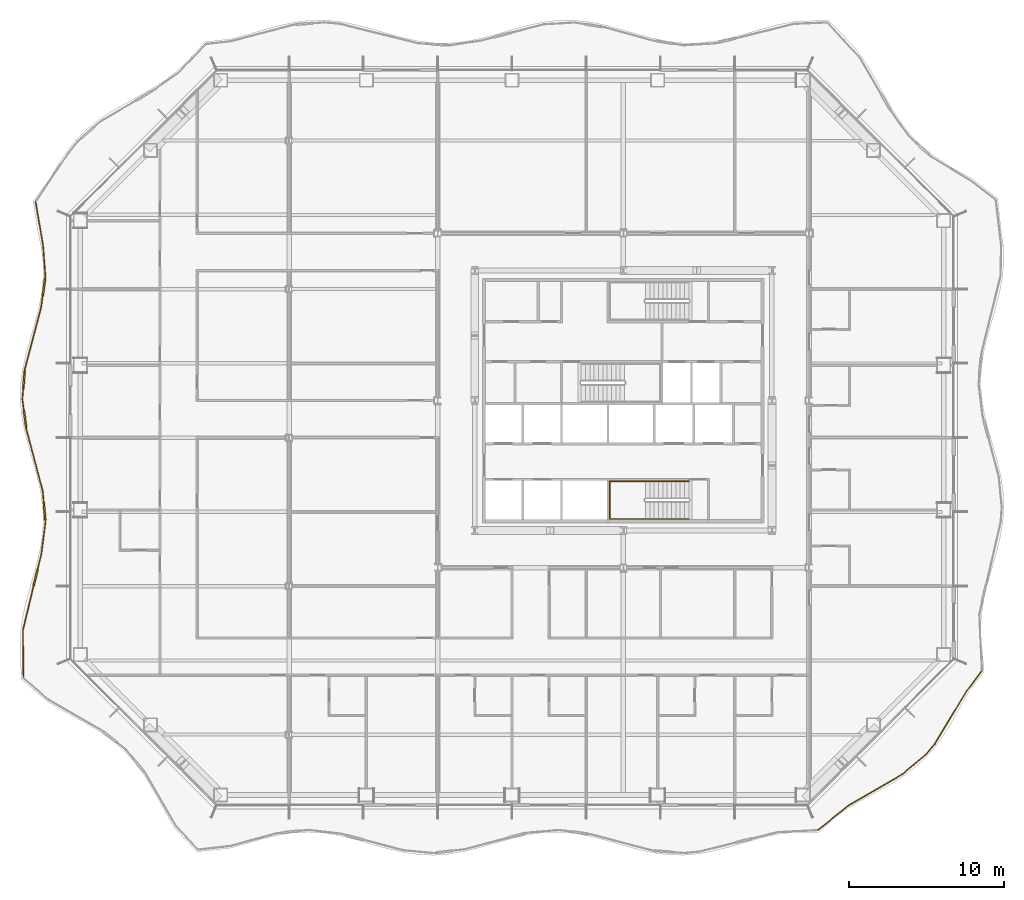
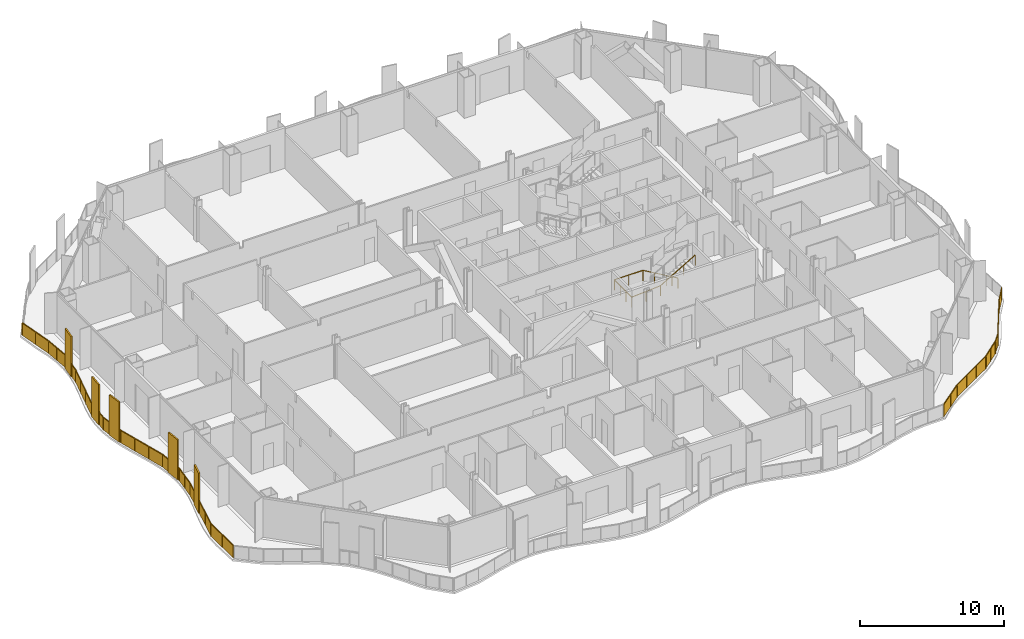
# One storey, part 16 of 20: 3 railings.
"""IFC4 building model written with IfcOpenShell, lengths in metres."""

from ifc_helpers import new_model, si_unit, direction, frame, origin, origin_2d, place, context, subcontext, project, spatial, polyline, rectangle, outline, extrude, material, type_object, element, save


model = new_model("IFC4")

# Units and contexts
model_context = context("Model", 3, precision=1e-05, world=origin(), true_north=direction((0.0, 1.0)))
body_context = subcontext(model_context, "Body", "Model", "MODEL_VIEW")
ifc_project = project(units=[si_unit("LENGTHUNIT", "METRE"), si_unit("AREAUNIT", "SQUARE_METRE"), si_unit("VOLUMEUNIT", "CUBIC_METRE"), si_unit("PLANEANGLEUNIT", "RADIAN"), si_unit("MASSUNIT", "GRAM", prefix="KILO")], contexts=[model_context])

# Site, building, storey
site_placement = place(None, origin())
site = spatial("IfcSite", under=ifc_project, at=site_placement, CompositionType="ELEMENT")
building_placement = place(site_placement, origin())
building = spatial("IfcBuilding", under=site, at=building_placement, Name="Cairn Pilgrim Tower", CompositionType="ELEMENT")
storey_placement = place(building_placement, frame((0.0, 0.0, 83.39990234375)))
storey = spatial("IfcBuildingStorey", under=building, at=storey_placement, Name="L19", CompositionType="ELEMENT", Elevation=83.39990234375)

# Railings
ifc_material_1 = material(Name="Bronze anodised aluminium rail and posts with laminated glass infill", Category="aluminium")
railing_type_1 = type_object("IfcRailingType", Name="BALCONY GUARD 1100", PredefinedType="GUARDRAIL", material=ifc_material_1)
railing_1_placement = place(storey_placement, frame((19.76904296875, -25.362060546875, 0.0)))
element("IfcRailing", 1, at=railing_1_placement, inside=storey, type_object=railing_type_1, Name="Balcony guard BG-2", PredefinedType="GUARDRAIL", context=body_context, shape_type="SweptSolid", body=[
    extrude(rectangle(XDim=0.050048828125, YDim=0.050048828125, at=origin_2d()), frame((0.0, 0.0, 1.0751953125), z_axis=(0.781037341637, 0.624484324037, 0.0), x_axis=(-0.624484324037, 0.781037341637, 0.0)), (0.0, 0.0, 1.0), 2.54345703125),
    extrude(rectangle(XDim=0.050048828125, YDim=0.050048828125, at=origin_2d()), frame((1.986572265625, 1.58837890625, 1.0751953125), z_axis=(0.864746318475, 0.502208925333, 0.0), x_axis=(-0.502208925333, 0.864746318475, 0.0)), (0.0, 0.0, 1.0), 4.011474609375),
    extrude(rectangle(XDim=0.050048828125, YDim=0.050048828125, at=origin_2d()), frame((5.45556640625, 3.60302734375, 1.0751953125), z_axis=(0.767752608342, 0.640746386946, 0.0), x_axis=(-0.640746386946, 0.767752608342, 0.0)), (0.0, 0.0, 1.0), 1.92236328125),
    extrude(rectangle(XDim=0.050048828125, YDim=0.050048828125, at=origin_2d()), frame((6.931396484375, 4.834716796875, 1.0751953125), z_axis=(0.653546062268, 0.756886744827, 0.0), x_axis=(-0.756886744827, 0.653546062268, 0.0)), (0.0, 0.0, 1.0), 0.947265625),
    extrude(rectangle(XDim=0.050048828125, YDim=0.050048828125, at=origin_2d()), frame((7.550537109375, 5.5517578125, 1.0751953125), z_axis=(0.515188020527, 0.857077186434, 0.0), x_axis=(-0.857077186434, 0.515188020527, 0.0)), (0.0, 0.0, 1.0), 3.992431640625),
    extrude(rectangle(XDim=0.050048828125, YDim=0.050048828125, at=origin_2d()), frame((9.607421875, 8.9736328125, 1.0751953125), z_axis=(0.601933741953, 0.798546035178, 0.0), x_axis=(-0.798546035178, 0.601933741953, 0.0)), (0.0, 0.0, 1.0), 1.594482421875),
    extrude(rectangle(XDim=0.050048828125, YDim=0.050048828125, at=origin_2d()), origin(), (0.0, 0.0, 1.0), 1.050048828125),
    extrude(rectangle(XDim=0.050048828125, YDim=0.050048828125, at=origin_2d()), frame((0.9931640625, 0.794189453125, 0.0)), (0.0, 0.0, 1.0), 1.050048828125),
    extrude(rectangle(XDim=0.050048828125, YDim=0.050048828125, at=origin_2d()), frame((1.986572265625, 1.58837890625, 0.0)), (0.0, 0.0, 1.0), 1.050048828125),
    extrude(rectangle(XDim=0.050048828125, YDim=0.050048828125, at=origin_2d()), frame((3.142822265625, 2.260009765625, 0.0)), (0.0, 0.0, 1.0), 1.050048828125),
    extrude(rectangle(XDim=0.050048828125, YDim=0.050048828125, at=origin_2d()), frame((4.29931640625, 2.931396484375, 0.0)), (0.0, 0.0, 1.0), 1.050048828125),
    extrude(rectangle(XDim=0.050048828125, YDim=0.050048828125, at=origin_2d()), frame((5.45556640625, 3.60302734375, 0.0)), (0.0, 0.0, 1.0), 1.050048828125),
    extrude(rectangle(XDim=0.050048828125, YDim=0.050048828125, at=origin_2d()), frame((6.193359375, 4.21875, 0.0)), (0.0, 0.0, 1.0), 1.050048828125),
    extrude(rectangle(XDim=0.050048828125, YDim=0.050048828125, at=origin_2d()), frame((6.931396484375, 4.834716796875, 0.0)), (0.0, 0.0, 1.0), 1.050048828125),
    extrude(rectangle(XDim=0.050048828125, YDim=0.050048828125, at=origin_2d()), frame((7.550537109375, 5.5517578125, 0.0)), (0.0, 0.0, 1.0), 1.050048828125),
    extrude(rectangle(XDim=0.050048828125, YDim=0.050048828125, at=origin_2d()), frame((8.236083984375, 6.6923828125, 0.0)), (0.0, 0.0, 1.0), 1.050048828125),
    extrude(rectangle(XDim=0.050048828125, YDim=0.050048828125, at=origin_2d()), frame((8.921875, 7.8330078125, 0.0)), (0.0, 0.0, 1.0), 1.050048828125),
    extrude(rectangle(XDim=0.050048828125, YDim=0.050048828125, at=origin_2d()), frame((9.607421875, 8.9736328125, 0.0)), (0.0, 0.0, 1.0), 1.050048828125),
    extrude(rectangle(XDim=0.050048828125, YDim=0.050048828125, at=origin_2d()), frame((10.567138671875, 10.246826171875, 0.0)), (0.0, 0.0, 1.0), 1.050048828125),
    extrude(outline(polyline([(0.02490234375, 0.0), (1.246826171875, 0.0), (1.246826171875, 1.050048828125), (0.02490234375, 1.050048828125), (0.02490234375, 0.0)])), frame((-0.003662109375, 0.004638671875, 0.0), z_axis=(0.624484324037, -0.781037341637, 0.0), x_axis=(0.781037341637, 0.624484324037, 0.0)), (0.0, 0.0, 1.0), 0.011962890625),
    extrude(outline(polyline([(0.02490234375, 0.0), (1.246826171875, 0.0), (1.246826171875, 1.050048828125), (0.02490234375, 1.050048828125), (0.02490234375, 0.0)])), frame((0.989501953125, 0.798828125, 0.0), z_axis=(0.624484324037, -0.781037341637, 0.0), x_axis=(0.781037341637, 0.624484324037, 0.0)), (0.0, 0.0, 1.0), 0.011962890625),
    extrude(outline(polyline([(0.02490234375, 0.0), (1.312255859375, 0.0), (1.312255859375, 1.050048828125), (0.02490234375, 1.050048828125), (0.02490234375, 0.0)])), frame((1.983642578125, 1.593505859375, 0.0), z_axis=(0.502208925333, -0.864746318475, 0.0), x_axis=(0.864746318475, 0.502208925333, 0.0)), (0.0, 0.0, 1.0), 0.011962890625),
    extrude(outline(polyline([(0.02490234375, 0.0), (1.312255859375, 0.0), (1.312255859375, 1.050048828125), (0.02490234375, 1.050048828125), (0.02490234375, 0.0)])), frame((3.139892578125, 2.26513671875, 0.0), z_axis=(0.502208925333, -0.864746318475, 0.0), x_axis=(0.864746318475, 0.502208925333, 0.0)), (0.0, 0.0, 1.0), 0.011962890625),
    extrude(outline(polyline([(0.02490234375, 0.0), (1.312255859375, 0.0), (1.312255859375, 1.050048828125), (0.02490234375, 1.050048828125), (0.02490234375, 0.0)])), frame((4.296142578125, 2.936767578125, 0.0), z_axis=(0.502208925333, -0.864746318475, 0.0), x_axis=(0.864746318475, 0.502208925333, 0.0)), (0.0, 0.0, 1.0), 0.011962890625),
    extrude(outline(polyline([(0.02490234375, 0.0), (0.93603515625, 0.0), (0.93603515625, 1.050048828125), (0.02490234375, 1.050048828125), (0.02490234375, 0.0)])), frame((5.45166015625, 3.607666015625, 0.0), z_axis=(0.640746386946, -0.767752608342, 0.0), x_axis=(0.767752608342, 0.640746386946, 0.0)), (0.0, 0.0, 1.0), 0.011962890625),
    extrude(outline(polyline([(0.02490234375, 0.0), (0.93603515625, 0.0), (0.93603515625, 1.050048828125), (0.02490234375, 1.050048828125), (0.02490234375, 0.0)])), frame((6.189697265625, 4.223388671875, 0.0), z_axis=(0.640746386946, -0.767752608342, 0.0), x_axis=(0.767752608342, 0.640746386946, 0.0)), (0.0, 0.0, 1.0), 0.011962890625),
    extrude(outline(polyline([(0.02490234375, 0.0), (0.92236328125, 0.0), (0.92236328125, 1.050048828125), (0.02490234375, 1.050048828125), (0.02490234375, 0.0)])), frame((6.9267578125, 4.838623046875, 0.0), z_axis=(0.756886744827, -0.653546062268, 0.0), x_axis=(0.653546062268, 0.756886744827, 0.0)), (0.0, 0.0, 1.0), 0.011962890625),
    extrude(outline(polyline([(0.02490234375, 0.0), (1.305908203125, 0.0), (1.305908203125, 1.050048828125), (0.02490234375, 1.050048828125), (0.02490234375, 0.0)])), frame((7.54541015625, 5.554931640625, 0.0), z_axis=(0.857077186434, -0.515188020527, 0.0), x_axis=(0.515188020527, 0.857077186434, 0.0)), (0.0, 0.0, 1.0), 0.011962890625),
    extrude(outline(polyline([(0.02490234375, 0.0), (1.305908203125, 0.0), (1.305908203125, 1.050048828125), (0.02490234375, 1.050048828125), (0.02490234375, 0.0)])), frame((8.23095703125, 6.695556640625, 0.0), z_axis=(0.857077186434, -0.515188020527, 0.0), x_axis=(0.515188020527, 0.857077186434, 0.0)), (0.0, 0.0, 1.0), 0.011962890625),
    extrude(outline(polyline([(0.02490234375, 0.0), (1.305908203125, 0.0), (1.305908203125, 1.050048828125), (0.02490234375, 1.050048828125), (0.02490234375, 0.0)])), frame((8.916748046875, 7.836181640625, 0.0), z_axis=(0.857077186434, -0.515188020527, 0.0), x_axis=(0.515188020527, 0.857077186434, 0.0)), (0.0, 0.0, 1.0), 0.011962890625),
    extrude(outline(polyline([(0.02490234375, 0.0), (1.5693359375, 0.0), (1.5693359375, 1.050048828125), (0.02490234375, 1.050048828125), (0.02490234375, 0.0)])), frame((9.6025390625, 8.977294921875, 0.0), z_axis=(0.798546035178, -0.601933741953, 0.0), x_axis=(0.601933741953, 0.798546035178, 0.0)), (0.0, 0.0, 1.0), 0.011962890625),
])
ifc_material_2 = material(Name="Bronze anodised aluminium rail, posts and fin screens with laminated glass infill", Category="aluminium")
railing_type_2 = type_object("IfcRailingType", Name="BALCONY GUARD WITH FIN SCREENS", PredefinedType="GUARDRAIL", material=ifc_material_2)
railing_2_placement = place(storey_placement, frame((-30.795166015625, 15.2578125, 0.0)))
element("IfcRailing", 2, at=railing_2_placement, inside=storey, type_object=railing_type_2, Name="Balcony guard BGF-7 with fin screens", PredefinedType="GUARDRAIL", context=body_context, shape_type="SweptSolid", body=[
    extrude(rectangle(XDim=0.050048828125, YDim=0.050048828125, at=origin_2d()), frame((0.0, 0.0, 1.0751953125), z_axis=(0.169547593793, -0.985522000485, 0.0), x_axis=(0.985522000485, 0.169547593793, 0.0)), (0.0, 0.0, 1.0), 2.866943359375),
    extrude(rectangle(XDim=0.050048828125, YDim=0.050048828125, at=origin_2d()), frame((0.486083984375, -2.825439453125, 1.0751953125), z_axis=(0.076677972459, -0.997055910438, 0.0), x_axis=(0.997055910438, 0.076677972459, 0.0)), (0.0, 0.0, 1.0), 2.015380859375),
    extrude(rectangle(XDim=1.10009765625, YDim=0.110107421875, at=origin_2d()), frame((0.543701171875, -5.5283203125, 0.0), z_axis=(0.0, 0.0, 1.0), x_axis=(-0.138390765685, -0.990377703693, 0.0)), (0.0, 0.0, 1.0), 3.39990234375),
    extrude(rectangle(XDim=0.050048828125, YDim=0.050048828125, at=origin_2d()), frame((0.640625, -4.8349609375, 1.0751953125), z_axis=(-0.138390765685, -0.990377703693, 0.0), x_axis=(0.990377703693, -0.138390765685, 0.0)), (0.0, 0.0, 1.0), 0.14990234375),
    extrude(rectangle(XDim=0.050048828125, YDim=0.050048828125, at=origin_2d()), frame((0.467529296875, -6.072998046875, 1.0751953125), z_axis=(-0.138390765685, -0.990377703693, 0.0), x_axis=(0.990377703693, -0.138390765685, 0.0)), (0.0, 0.0, 1.0), 0.780517578125),
    extrude(rectangle(XDim=0.050048828125, YDim=0.050048828125, at=origin_2d()), frame((0.359619140625, -6.845947265625, 1.0751953125), z_axis=(-0.255292507729, -0.966863866062, 0.0), x_axis=(0.966863866062, -0.255292507729, 0.0)), (0.0, 0.0, 1.0), 4.1044921875),
    extrude(rectangle(XDim=1.10009765625, YDim=0.110107421875, at=origin_2d()), frame((-0.74609375, -11.511962890625, 0.0), z_axis=(0.0, 0.0, 1.0), x_axis=(-0.082685320584, -0.996575705985, 0.0)), (0.0, 0.0, 1.0), 3.39990234375),
    extrude(rectangle(XDim=0.050048828125, YDim=0.050048828125, at=origin_2d()), frame((-0.688232421875, -10.814453125, 1.0751953125), z_axis=(-0.082685320584, -0.996575705985, 0.0), x_axis=(0.996575705985, -0.082685320584, 0.0)), (0.0, 0.0, 1.0), 0.14990234375),
    extrude(rectangle(XDim=0.050048828125, YDim=0.050048828125, at=origin_2d()), frame((-0.79150390625, -12.06005859375, 1.0751953125), z_axis=(-0.082685320584, -0.996575705985, 0.0), x_axis=(0.996575705985, -0.082685320584, 0.0)), (0.0, 0.0, 1.0), 0.713623046875),
    extrude(rectangle(XDim=1.10009765625, YDim=0.110107421875, at=origin_2d()), frame((-0.680419921875, -14.0380859375, 0.0), z_axis=(0.0, 0.0, 1.0), x_axis=(0.133157928497, -0.991094832031, 0.0)), (0.0, 0.0, 1.0), 3.39990234375),
    extrude(rectangle(XDim=0.050048828125, YDim=0.050048828125, at=origin_2d()), frame((-0.8505859375, -12.771240234375, 1.0751953125), z_axis=(0.133157928497, -0.991094832031, 0.0), x_axis=(0.991094832031, 0.133157928497, 0.0)), (0.0, 0.0, 1.0), 0.728271484375),
    extrude(rectangle(XDim=0.050048828125, YDim=0.050048828125, at=origin_2d()), frame((-0.607177734375, -14.583251953125, 1.0751953125), z_axis=(0.133157928497, -0.991094832031, 0.0), x_axis=(0.991094832031, 0.133157928497, 0.0)), (0.0, 0.0, 1.0), 0.14990234375),
    extrude(rectangle(XDim=0.050048828125, YDim=0.050048828125, at=origin_2d()), frame((-0.587158203125, -14.73193359375, 1.0751953125), z_axis=(0.255796291706, -0.9667307056, 0.0), x_axis=(0.9667307056, 0.255796291706, 0.0)), (0.0, 0.0, 1.0), 4.112548828125),
    extrude(rectangle(XDim=1.10009765625, YDim=0.110107421875, at=origin_2d()), frame((0.581787109375, -20.025634765625, 0.0), z_axis=(0.0, 0.0, 1.0), x_axis=(0.088457307646, -0.996079969041, 0.0)), (0.0, 0.0, 1.0), 3.39990234375),
    extrude(rectangle(XDim=0.050048828125, YDim=0.050048828125, at=origin_2d()), frame((0.46484375, -18.707763671875, 1.0751953125), z_axis=(0.088457307646, -0.996079969041, 0.0), x_axis=(0.996079969041, 0.088457307646, 0.0)), (0.0, 0.0, 1.0), 0.77294921875),
    extrude(rectangle(XDim=0.050048828125, YDim=0.050048828125, at=origin_2d()), frame((0.630615234375, -20.573486328125, 1.0751953125), z_axis=(0.088457307646, -0.996079969041, 0.0), x_axis=(0.996079969041, 0.088457307646, 0.0)), (0.0, 0.0, 1.0), 0.150146484375),
    extrude(rectangle(XDim=0.050048828125, YDim=0.050048828125, at=origin_2d()), frame((0.643798828125, -20.722900390625, 1.0751953125), z_axis=(-0.127665610616, -0.991817267376, 0.0), x_axis=(0.991817267376, -0.127665610616, 0.0)), (0.0, 0.0, 1.0), 2.027099609375),
    extrude(rectangle(XDim=1.10009765625, YDim=0.110107421875, at=origin_2d()), frame((0.002685546875, -24.31591796875, 0.0), z_axis=(0.0, 0.0, 1.0), x_axis=(-0.234899560264, -0.972019648252, 0.0)), (0.0, 0.0, 1.0), 3.39990234375),
    extrude(rectangle(XDim=0.050048828125, YDim=0.050048828125, at=origin_2d()), frame((0.385009765625, -22.7333984375, 1.0751953125), z_axis=(-0.234899560264, -0.972019648252, 0.0), x_axis=(0.972019648252, -0.234899560264, 0.0)), (0.0, 0.0, 1.0), 1.078125),
    extrude(rectangle(XDim=0.050048828125, YDim=0.050048828125, at=origin_2d()), frame((-0.126708984375, -24.8505859375, 1.0751953125), z_axis=(-0.234899560264, -0.972019648252, 0.0), x_axis=(0.972019648252, -0.234899560264, 0.0)), (0.0, 0.0, 1.0), 2.919921875),
    extrude(rectangle(XDim=0.050048828125, YDim=0.050048828125, at=origin_2d()), frame((-0.8125, -27.688720703125, 1.0751953125), z_axis=(0.009518807193, -0.999954695129, 0.0), x_axis=(0.999954695129, 0.009518807193, 0.0)), (0.0, 0.0, 1.0), 3.05224609375),
    extrude(rectangle(XDim=0.050048828125, YDim=0.050048828125, at=origin_2d()), origin(), (0.0, 0.0, 1.0), 1.050048828125),
    extrude(rectangle(XDim=0.050048828125, YDim=0.050048828125, at=origin_2d()), frame((0.2431640625, -1.41259765625, 0.0)), (0.0, 0.0, 1.0), 1.050048828125),
    extrude(rectangle(XDim=0.050048828125, YDim=0.050048828125, at=origin_2d()), frame((0.486083984375, -2.825439453125, 0.0)), (0.0, 0.0, 1.0), 1.050048828125),
    extrude(rectangle(XDim=0.050048828125, YDim=0.050048828125, at=origin_2d()), frame((0.5634765625, -3.830078125, 0.0)), (0.0, 0.0, 1.0), 1.050048828125),
    extrude(rectangle(XDim=0.050048828125, YDim=0.050048828125, at=origin_2d()), frame((0.640625, -4.8349609375, 0.0)), (0.0, 0.0, 1.0), 1.050048828125),
    extrude(rectangle(XDim=0.050048828125, YDim=0.050048828125, at=origin_2d()), frame((0.623291015625, -4.958740234375, 0.0)), (0.0, 0.0, 1.0), 1.050048828125),
    extrude(rectangle(XDim=0.050048828125, YDim=0.050048828125, at=origin_2d()), frame((0.464111328125, -6.09765625, 0.0)), (0.0, 0.0, 1.0), 1.050048828125),
    extrude(rectangle(XDim=0.050048828125, YDim=0.050048828125, at=origin_2d()), frame((0.359619140625, -6.845947265625, 0.0)), (0.0, 0.0, 1.0), 1.050048828125),
    extrude(rectangle(XDim=0.050048828125, YDim=0.050048828125, at=origin_2d()), frame((0.01025390625, -8.168701171875, 0.0)), (0.0, 0.0, 1.0), 1.050048828125),
    extrude(rectangle(XDim=0.050048828125, YDim=0.050048828125, at=origin_2d()), frame((-0.3388671875, -9.49169921875, 0.0)), (0.0, 0.0, 1.0), 1.050048828125),
    extrude(rectangle(XDim=0.050048828125, YDim=0.050048828125, at=origin_2d()), frame((-0.688232421875, -10.814453125, 0.0)), (0.0, 0.0, 1.0), 1.050048828125),
    extrude(rectangle(XDim=0.050048828125, YDim=0.050048828125, at=origin_2d()), frame((-0.698486328125, -10.93896484375, 0.0)), (0.0, 0.0, 1.0), 1.050048828125),
    extrude(rectangle(XDim=0.050048828125, YDim=0.050048828125, at=origin_2d()), frame((-0.793701171875, -12.0849609375, 0.0)), (0.0, 0.0, 1.0), 1.050048828125),
    extrude(rectangle(XDim=0.050048828125, YDim=0.050048828125, at=origin_2d()), frame((-0.8505859375, -12.771240234375, 0.0)), (0.0, 0.0, 1.0), 1.050048828125),
    extrude(rectangle(XDim=0.050048828125, YDim=0.050048828125, at=origin_2d()), frame((-0.7568359375, -13.46826171875, 0.0)), (0.0, 0.0, 1.0), 1.050048828125),
    extrude(rectangle(XDim=0.050048828125, YDim=0.050048828125, at=origin_2d()), frame((-0.603759765625, -14.608154296875, 0.0)), (0.0, 0.0, 1.0), 1.050048828125),
    extrude(rectangle(XDim=0.050048828125, YDim=0.050048828125, at=origin_2d()), frame((-0.587158203125, -14.73193359375, 0.0)), (0.0, 0.0, 1.0), 1.050048828125),
    extrude(rectangle(XDim=0.050048828125, YDim=0.050048828125, at=origin_2d()), frame((-0.236572265625, -16.05712890625, 0.0)), (0.0, 0.0, 1.0), 1.050048828125),
    extrude(rectangle(XDim=0.050048828125, YDim=0.050048828125, at=origin_2d()), frame((0.1142578125, -17.382568359375, 0.0)), (0.0, 0.0, 1.0), 1.050048828125),
    extrude(rectangle(XDim=0.050048828125, YDim=0.050048828125, at=origin_2d()), frame((0.46484375, -18.707763671875, 0.0)), (0.0, 0.0, 1.0), 1.050048828125),
    extrude(rectangle(XDim=0.050048828125, YDim=0.050048828125, at=origin_2d()), frame((0.531005859375, -19.452880859375, 0.0)), (0.0, 0.0, 1.0), 1.050048828125),
    extrude(rectangle(XDim=0.050048828125, YDim=0.050048828125, at=origin_2d()), frame((0.6328125, -20.598388671875, 0.0)), (0.0, 0.0, 1.0), 1.050048828125),
    extrude(rectangle(XDim=0.050048828125, YDim=0.050048828125, at=origin_2d()), frame((0.643798828125, -20.722900390625, 0.0)), (0.0, 0.0, 1.0), 1.050048828125),
    extrude(rectangle(XDim=0.050048828125, YDim=0.050048828125, at=origin_2d()), frame((0.514404296875, -21.72802734375, 0.0)), (0.0, 0.0, 1.0), 1.050048828125),
    extrude(rectangle(XDim=0.050048828125, YDim=0.050048828125, at=origin_2d()), frame((0.385009765625, -22.7333984375, 0.0)), (0.0, 0.0, 1.0), 1.050048828125),
    extrude(rectangle(XDim=0.050048828125, YDim=0.050048828125, at=origin_2d()), frame((0.1376953125, -23.7568359375, 0.0)), (0.0, 0.0, 1.0), 1.050048828125),
    extrude(rectangle(XDim=0.050048828125, YDim=0.050048828125, at=origin_2d()), frame((-0.132568359375, -24.874755859375, 0.0)), (0.0, 0.0, 1.0), 1.050048828125),
    extrude(rectangle(XDim=0.050048828125, YDim=0.050048828125, at=origin_2d()), frame((-0.472412109375, -26.28173828125, 0.0)), (0.0, 0.0, 1.0), 1.050048828125),
    extrude(rectangle(XDim=0.050048828125, YDim=0.050048828125, at=origin_2d()), frame((-0.8125, -27.688720703125, 0.0)), (0.0, 0.0, 1.0), 1.050048828125),
    extrude(rectangle(XDim=0.050048828125, YDim=0.050048828125, at=origin_2d()), frame((-0.7978515625, -29.21484375, 0.0)), (0.0, 0.0, 1.0), 1.050048828125),
    extrude(rectangle(XDim=0.050048828125, YDim=0.050048828125, at=origin_2d()), frame((-0.783447265625, -30.74072265625, 0.0)), (0.0, 0.0, 1.0), 1.050048828125),
    extrude(outline(polyline([(0.02490234375, 0.0), (1.408447265625, 0.0), (1.408447265625, 1.050048828125), (0.02490234375, 1.050048828125), (0.02490234375, 0.0)])), frame((0.005859375, 0.0009765625, 0.0), z_axis=(-0.985522000485, -0.169547593793, 0.0), x_axis=(0.169547593793, -0.985522000485, 0.0)), (0.0, 0.0, 1.0), 0.011962890625),
    extrude(outline(polyline([(0.02490234375, 0.0), (1.408447265625, 0.0), (1.408447265625, 1.050048828125), (0.02490234375, 1.050048828125), (0.02490234375, 0.0)])), frame((0.2490234375, -1.41162109375, 0.0), z_axis=(-0.985522000485, -0.169547593793, 0.0), x_axis=(0.169547593793, -0.985522000485, 0.0)), (0.0, 0.0, 1.0), 0.011962890625),
    extrude(outline(polyline([(0.02490234375, 0.0), (0.982666015625, 0.0), (0.982666015625, 1.050048828125), (0.02490234375, 1.050048828125), (0.02490234375, 0.0)])), frame((0.491943359375, -2.824951171875, 0.0), z_axis=(-0.997055910438, -0.076677972459, 0.0), x_axis=(0.076677972459, -0.997055910438, 0.0)), (0.0, 0.0, 1.0), 0.011962890625),
    extrude(outline(polyline([(0.02490234375, 0.0), (0.982666015625, 0.0), (0.982666015625, 1.050048828125), (0.02490234375, 1.050048828125), (0.02490234375, 0.0)])), frame((0.5693359375, -3.829833984375, 0.0), z_axis=(-0.997055910438, -0.076677972459, 0.0), x_axis=(0.076677972459, -0.997055910438, 0.0)), (0.0, 0.0, 1.0), 0.011962890625),
    extrude(outline(polyline([(0.02490234375, 0.0), (0.099853515625, 0.0), (0.099853515625, 1.050048828125), (0.02490234375, 1.050048828125), (0.02490234375, 0.0)])), frame((0.646484375, -4.835693359375, 0.0), z_axis=(-0.990377703693, 0.138390765685, 0.0), x_axis=(-0.138390765685, -0.990377703693, 0.0)), (0.0, 0.0, 1.0), 0.011962890625),
    extrude(outline(polyline([(0.02490234375, 0.0), (0.73046875, 0.0), (0.73046875, 1.050048828125), (0.02490234375, 1.050048828125), (0.02490234375, 0.0)])), frame((0.47021484375, -6.0986328125, 0.0), z_axis=(-0.990377703693, 0.138390765685, 0.0), x_axis=(-0.138390765685, -0.990377703693, 0.0)), (0.0, 0.0, 1.0), 0.011962890625),
    extrude(outline(polyline([(0.02490234375, 0.0), (1.34326171875, 0.0), (1.34326171875, 1.050048828125), (0.02490234375, 1.050048828125), (0.02490234375, 0.0)])), frame((0.365478515625, -6.847412109375, 0.0), z_axis=(-0.966863866062, 0.255292507729, 0.0), x_axis=(-0.255292507729, -0.966863866062, 0.0)), (0.0, 0.0, 1.0), 0.011962890625),
    extrude(outline(polyline([(0.02490234375, 0.0), (1.34326171875, 0.0), (1.34326171875, 1.050048828125), (0.02490234375, 1.050048828125), (0.02490234375, 0.0)])), frame((0.01611328125, -8.17041015625, 0.0), z_axis=(-0.966863866062, 0.255292507729, 0.0), x_axis=(-0.255292507729, -0.966863866062, 0.0)), (0.0, 0.0, 1.0), 0.011962890625),
    extrude(outline(polyline([(0.02490234375, 0.0), (1.34326171875, 0.0), (1.34326171875, 1.050048828125), (0.02490234375, 1.050048828125), (0.02490234375, 0.0)])), frame((-0.333251953125, -9.4931640625, 0.0), z_axis=(-0.966863866062, 0.255292507729, 0.0), x_axis=(-0.255292507729, -0.966863866062, 0.0)), (0.0, 0.0, 1.0), 0.011962890625),
    extrude(outline(polyline([(0.02490234375, 0.0), (0.099853515625, 0.0), (0.099853515625, 1.050048828125), (0.02490234375, 1.050048828125), (0.02490234375, 0.0)])), frame((-0.682373046875, -10.81494140625, 0.0), z_axis=(-0.996575705985, 0.082685320584, 0.0), x_axis=(-0.082685320584, -0.996575705985, 0.0)), (0.0, 0.0, 1.0), 0.011962890625),
    extrude(outline(polyline([(0.02490234375, 0.0), (0.66357421875, 0.0), (0.66357421875, 1.050048828125), (0.02490234375, 1.050048828125), (0.02490234375, 0.0)])), frame((-0.78759765625, -12.08544921875, 0.0), z_axis=(-0.996575705985, 0.082685320584, 0.0), x_axis=(-0.082685320584, -0.996575705985, 0.0)), (0.0, 0.0, 1.0), 0.011962890625),
    extrude(outline(polyline([(0.02490234375, 0.0), (0.67822265625, 0.0), (0.67822265625, 1.050048828125), (0.02490234375, 1.050048828125), (0.02490234375, 0.0)])), frame((-0.8447265625, -12.7705078125, 0.0), z_axis=(-0.991094832031, -0.133157928497, 0.0), x_axis=(0.133157928497, -0.991094832031, 0.0)), (0.0, 0.0, 1.0), 0.011962890625),
    extrude(outline(polyline([(0.02490234375, 0.0), (0.099853515625, 0.0), (0.099853515625, 1.050048828125), (0.02490234375, 1.050048828125), (0.02490234375, 0.0)])), frame((-0.597900390625, -14.607421875, 0.0), z_axis=(-0.991094832031, -0.133157928497, 0.0), x_axis=(0.133157928497, -0.991094832031, 0.0)), (0.0, 0.0, 1.0), 0.011962890625),
    extrude(outline(polyline([(0.02490234375, 0.0), (1.345947265625, 0.0), (1.345947265625, 1.050048828125), (0.02490234375, 1.050048828125), (0.02490234375, 0.0)])), frame((-0.581298828125, -14.73046875, 0.0), z_axis=(-0.9667307056, -0.255796291706, 0.0), x_axis=(0.255796291706, -0.9667307056, 0.0)), (0.0, 0.0, 1.0), 0.011962890625),
    extrude(outline(polyline([(0.02490234375, 0.0), (1.345947265625, 0.0), (1.345947265625, 1.050048828125), (0.02490234375, 1.050048828125), (0.02490234375, 0.0)])), frame((-0.230712890625, -16.0556640625, 0.0), z_axis=(-0.9667307056, -0.255796291706, 0.0), x_axis=(0.255796291706, -0.9667307056, 0.0)), (0.0, 0.0, 1.0), 0.011962890625),
    extrude(outline(polyline([(0.02490234375, 0.0), (1.345947265625, 0.0), (1.345947265625, 1.050048828125), (0.02490234375, 1.050048828125), (0.02490234375, 0.0)])), frame((0.119873046875, -17.380859375, 0.0), z_axis=(-0.9667307056, -0.255796291706, 0.0), x_axis=(0.255796291706, -0.9667307056, 0.0)), (0.0, 0.0, 1.0), 0.011962890625),
    extrude(outline(polyline([(0.02490234375, 0.0), (0.722900390625, 0.0), (0.722900390625, 1.050048828125), (0.02490234375, 1.050048828125), (0.02490234375, 0.0)])), frame((0.470703125, -18.707275390625, 0.0), z_axis=(-0.996079969041, -0.088457307646, 0.0), x_axis=(0.088457307646, -0.996079969041, 0.0)), (0.0, 0.0, 1.0), 0.011962890625),
    extrude(outline(polyline([(0.02490234375, 0.0), (0.10009765625, 0.0), (0.10009765625, 1.050048828125), (0.02490234375, 1.050048828125), (0.02490234375, 0.0)])), frame((0.638671875, -20.597900390625, 0.0), z_axis=(-0.996079969041, -0.088457307646, 0.0), x_axis=(0.088457307646, -0.996079969041, 0.0)), (0.0, 0.0, 1.0), 0.011962890625),
    extrude(outline(polyline([(0.02490234375, 0.0), (0.988525390625, 0.0), (0.988525390625, 1.050048828125), (0.02490234375, 1.050048828125), (0.02490234375, 0.0)])), frame((0.649658203125, -20.7236328125, 0.0), z_axis=(-0.991817267376, 0.127665610616, 0.0), x_axis=(-0.127665610616, -0.991817267376, 0.0)), (0.0, 0.0, 1.0), 0.011962890625),
    extrude(outline(polyline([(0.02490234375, 0.0), (0.988525390625, 0.0), (0.988525390625, 1.050048828125), (0.02490234375, 1.050048828125), (0.02490234375, 0.0)])), frame((0.520263671875, -21.72900390625, 0.0), z_axis=(-0.991817267376, 0.127665610616, 0.0), x_axis=(-0.127665610616, -0.991817267376, 0.0)), (0.0, 0.0, 1.0), 0.011962890625),
    extrude(outline(polyline([(0.02490234375, 0.0), (1.028076171875, 0.0), (1.028076171875, 1.050048828125), (0.02490234375, 1.050048828125), (0.02490234375, 0.0)])), frame((0.390869140625, -22.73486328125, 0.0), z_axis=(-0.972019648252, 0.234899560264, 0.0), x_axis=(-0.234899560264, -0.972019648252, 0.0)), (0.0, 0.0, 1.0), 0.011962890625),
    extrude(outline(polyline([(0.02490234375, 0.0), (1.42236328125, 0.0), (1.42236328125, 1.050048828125), (0.02490234375, 1.050048828125), (0.02490234375, 0.0)])), frame((-0.126708984375, -24.876220703125, 0.0), z_axis=(-0.972019648252, 0.234899560264, 0.0), x_axis=(-0.234899560264, -0.972019648252, 0.0)), (0.0, 0.0, 1.0), 0.011962890625),
    extrude(outline(polyline([(0.02490234375, 0.0), (1.42236328125, 0.0), (1.42236328125, 1.050048828125), (0.02490234375, 1.050048828125), (0.02490234375, 0.0)])), frame((-0.466796875, -26.283203125, 0.0), z_axis=(-0.972019648252, 0.234899560264, 0.0), x_axis=(-0.234899560264, -0.972019648252, 0.0)), (0.0, 0.0, 1.0), 0.011962890625),
    extrude(outline(polyline([(0.02490234375, 0.0), (1.5009765625, 0.0), (1.5009765625, 1.050048828125), (0.02490234375, 1.050048828125), (0.02490234375, 0.0)])), frame((-0.806640625, -27.688720703125, 0.0), z_axis=(-0.999954695129, -0.009518807193, 0.0), x_axis=(0.009518807193, -0.999954695129, 0.0)), (0.0, 0.0, 1.0), 0.011962890625),
    extrude(outline(polyline([(0.02490234375, 0.0), (1.5009765625, 0.0), (1.5009765625, 1.050048828125), (0.02490234375, 1.050048828125), (0.02490234375, 0.0)])), frame((-0.7919921875, -29.214599609375, 0.0), z_axis=(-0.999954695129, -0.009518807193, 0.0), x_axis=(0.009518807193, -0.999954695129, 0.0)), (0.0, 0.0, 1.0), 0.011962890625),
])
ifc_material_3 = material(Name="Painted steel", Category="steel")
railing_type_3 = type_object("IfcRailingType", Name="STAIR HANDRAIL 900", PredefinedType="HANDRAIL", material=ifc_material_3)
railing_3_placement = place(storey_placement, frame((11.425048828125, -2.824951171875, 0.163818359375)))
element("IfcRailing", 3, at=railing_3_placement, inside=storey, type_object=railing_type_3, Name="L19 ST-A stair handrail 1", PredefinedType="HANDRAIL", context=body_context, shape_type="SweptSolid", body=[
    extrude(rectangle(XDim=0.048095703125, YDim=0.048095703125, at=origin_2d()), frame((0.0, 0.0, 0.8759765625), z_axis=(-0.863393664356, 0.0, 0.504530851732), x_axis=(0.0, -1.0, 0.0)), (0.0, 0.0, 1.0), 3.2431640625),
    extrude(rectangle(XDim=0.048095703125, YDim=0.048095703125, at=origin_2d()), frame((-2.800048828125, 0.0, 2.51220703125), z_axis=(-1.0, 0.0, 0.0), x_axis=(0.0, -1.0, 0.0)), (0.0, 0.0, 1.0), 2.300048828125),
    extrude(rectangle(XDim=0.048095703125, YDim=0.048095703125, at=origin_2d()), frame((-5.10009765625, 0.0, 2.51220703125), z_axis=(0.0, -1.0, 0.0), x_axis=(1.0, 0.0, 0.0)), (0.0, 0.0, 1.0), 2.425048828125),
    extrude(rectangle(XDim=0.048095703125, YDim=0.048095703125, at=origin_2d()), frame((-5.10009765625, -2.425048828125, 2.51220703125), z_axis=(0.997480687736, 0.0, 0.070938548008), x_axis=(0.0, 1.0, 0.0)), (0.0, 0.0, 1.0), 2.305908203125),
    extrude(rectangle(XDim=0.048095703125, YDim=0.048095703125, at=origin_2d()), frame((-2.800048828125, -2.425048828125, 2.67578125), z_axis=(0.863360870873, 0.0, 0.504586966384), x_axis=(0.0, 1.0, 0.0)), (0.0, 0.0, 1.0), 3.2431640625),
    extrude(rectangle(XDim=0.0419921875, YDim=0.0419921875, at=origin_2d()), origin(), (0.0, 0.0, 1.0), 0.851806640625),
    extrude(rectangle(XDim=0.0419921875, YDim=0.0419921875, at=origin_2d()), frame((-0.933349609375, 0.0, 0.54541015625)), (0.0, 0.0, 1.0), 0.851806640625),
    extrude(rectangle(XDim=0.0419921875, YDim=0.0419921875, at=origin_2d()), frame((-1.86669921875, 0.0, 1.0908203125)), (0.0, 0.0, 1.0), 0.851806640625),
    extrude(rectangle(XDim=0.0419921875, YDim=0.0419921875, at=origin_2d()), frame((-2.800048828125, 0.0, 1.63623046875)), (0.0, 0.0, 1.0), 0.851806640625),
    extrude(rectangle(XDim=0.0419921875, YDim=0.0419921875, at=origin_2d()), frame((-3.9501953125, 0.0, 1.63623046875)), (0.0, 0.0, 1.0), 0.851806640625),
    extrude(rectangle(XDim=0.0419921875, YDim=0.0419921875, at=origin_2d()), frame((-5.10009765625, 0.0, 1.63623046875)), (0.0, 0.0, 1.0), 0.851806640625),
    extrude(rectangle(XDim=0.0419921875, YDim=0.0419921875, at=origin_2d()), frame((-5.10009765625, -0.808349609375, 1.63623046875)), (0.0, 0.0, 1.0), 0.851806640625),
    extrude(rectangle(XDim=0.0419921875, YDim=0.0419921875, at=origin_2d()), frame((-5.10009765625, -1.61669921875, 1.63623046875)), (0.0, 0.0, 1.0), 0.851806640625),
    extrude(rectangle(XDim=0.0419921875, YDim=0.0419921875, at=origin_2d()), frame((-5.10009765625, -2.425048828125, 1.63623046875)), (0.0, 0.0, 1.0), 0.851806640625),
    extrude(rectangle(XDim=0.0419921875, YDim=0.0419921875, at=origin_2d()), frame((-3.9501953125, -2.425048828125, 1.718017578125)), (0.0, 0.0, 1.0), 0.851806640625),
    extrude(rectangle(XDim=0.0419921875, YDim=0.0419921875, at=origin_2d()), frame((-2.800048828125, -2.425048828125, 1.7998046875)), (0.0, 0.0, 1.0), 0.851806640625),
    extrude(rectangle(XDim=0.0419921875, YDim=0.0419921875, at=origin_2d()), frame((-1.86669921875, -2.425048828125, 2.34521484375)), (0.0, 0.0, 1.0), 0.851806640625),
    extrude(rectangle(XDim=0.0419921875, YDim=0.0419921875, at=origin_2d()), frame((-0.933349609375, -2.425048828125, 2.890869140625)), (0.0, 0.0, 1.0), 0.851806640625),
    extrude(rectangle(XDim=0.0419921875, YDim=0.0419921875, at=origin_2d()), frame((0.0, -2.425048828125, 3.436279296875)), (0.0, 0.0, 1.0), 0.851806640625),
])

save(model, "model.ifc")
